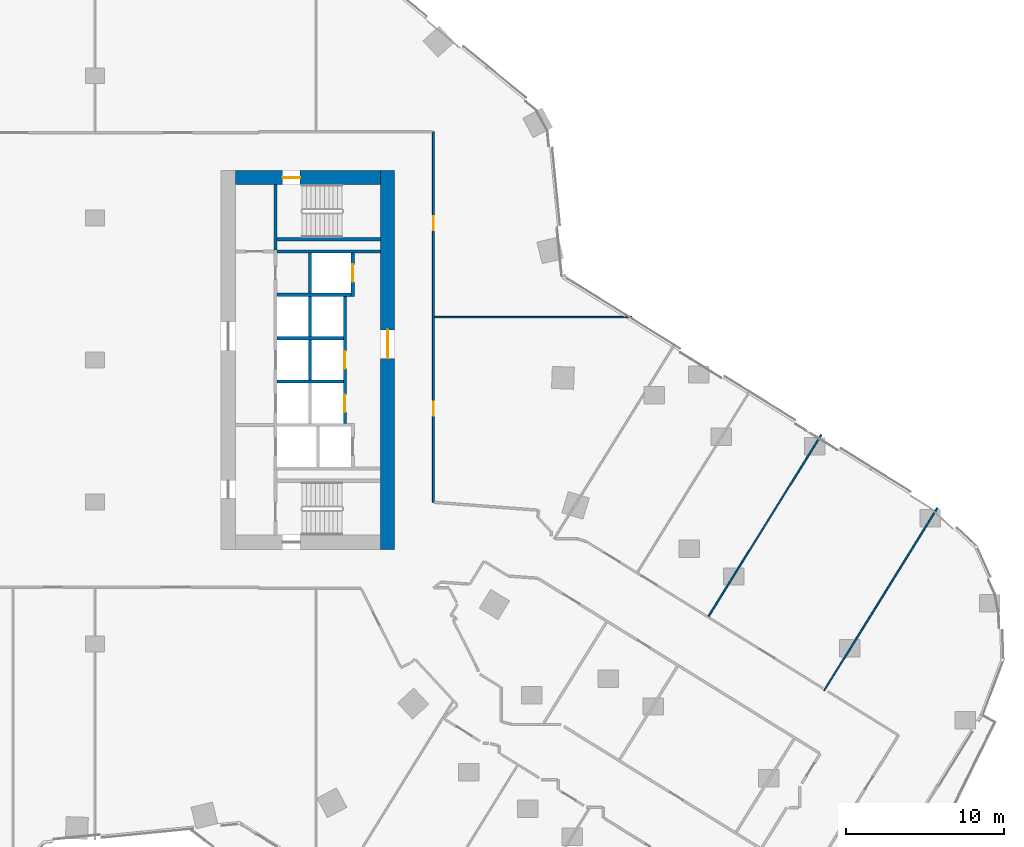
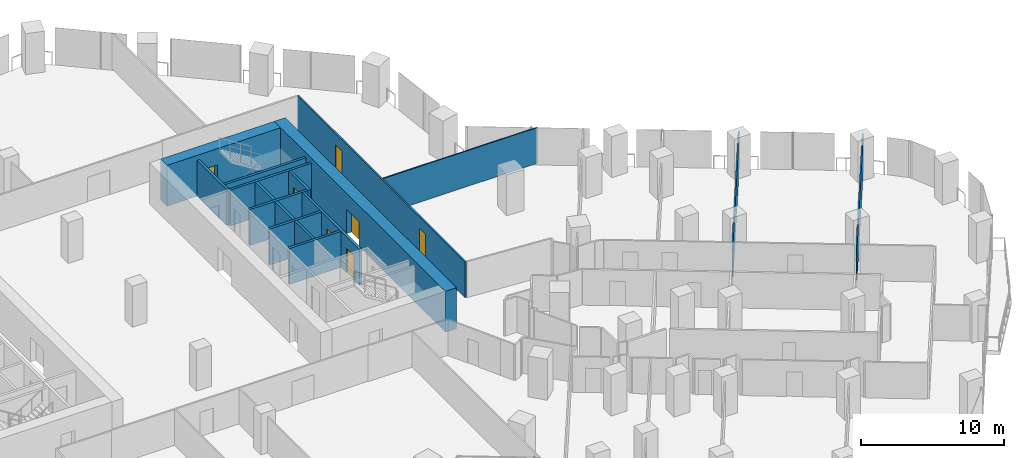
# One storey, part 28 of 34: 17 walls, 7 doors, 7 openings.
"""IFC4 building model written with IfcOpenShell, lengths in metres."""

from ifc_helpers import new_model, si_unit, direction, frame, frame_2d, origin, place, context, subcontext, project, spatial, rectangle, extrude, material, layer, layer_set, type_object, element, fill, save


model = new_model("IFC4")

# Units and contexts
model_context = context("Model", 3, precision=1e-05, world=origin(), true_north=direction((0.0, 1.0)))
body_context = subcontext(model_context, "Body", "Model", "MODEL_VIEW")
ifc_project = project(units=[si_unit("LENGTHUNIT", "METRE"), si_unit("AREAUNIT", "SQUARE_METRE"), si_unit("VOLUMEUNIT", "CUBIC_METRE"), si_unit("PLANEANGLEUNIT", "RADIAN"), si_unit("MASSUNIT", "GRAM", prefix="KILO")], contexts=[model_context])

# Site, building, storey
site_placement = place(None, origin())
site = spatial("IfcSite", under=ifc_project, at=site_placement, CompositionType="ELEMENT")
building_placement = place(site_placement, origin())
building = spatial("IfcBuilding", under=site, at=building_placement, Name="Orlundy Tower", CompositionType="ELEMENT")
storey_placement = place(building_placement, frame((0.0, 0.0, 37.300048828125)))
storey = spatial("IfcBuildingStorey", under=building, at=storey_placement, Name="L07", CompositionType="ELEMENT", Elevation=37.300048828125)

# Wall, opening, door
ifc_material_1 = material(Name="Concrete C80/95", Category="concrete")
ifc_layer_1 = layer(ifc_material_1, 0.89990234375)
ifc_layer_set_1 = layer_set([ifc_layer_1], Name="CORE WALL 900 C80/95")
wall_type_1 = type_object("IfcWallType", Name="CORE WALL 900 C80/95", PredefinedType="SHEAR", material=ifc_layer_set_1)
wall_1_placement = place(storey_placement, frame((8.89990234375, 11.550048828125, 0.0), z_axis=(0.0, 0.0, 1.0), x_axis=(1.0, 0.0, 0.0)))
wall_1 = element("IfcWall", 1, at=wall_1_placement, inside=storey, type_object=wall_type_1, Name="Core wall E-N L07", PredefinedType="SHEAR", context=body_context, shape_type="SweptSolid", body=[
    extrude(rectangle(XDim=9.2001953125, YDim=0.89990234375, at=frame_2d((4.60009765625, 0.0))), origin(), (0.0, 0.0, 1.0), 3.5),
])
opening_1_placement = place(wall_1_placement, frame((3.0, 0.0, 0.0)))
opening_1 = element("IfcOpeningElement", 2, at=opening_1_placement, cuts=wall_1, Name="Opening 08062", PredefinedType="OPENING", context=body_context, shape_type="SweptSolid", body=[
    extrude(rectangle(XDim=1.10009765625, YDim=2.10009765625, at=frame_2d((0.550048828125, 1.050048828125))), frame((0.0, 0.4599609375, 0.0), z_axis=(0.0, -1.0, 0.0), x_axis=(1.0, 0.0, 0.0)), (0.0, 0.0, 1.0), 0.919921875),
])
ifc_material_2 = material(Name="Steel door set", Category="steel")
door_type_1 = type_object("IfcDoorType", Name="Stair Door 1100x2100", OperationType="SINGLE_SWING_LEFT", PredefinedType="DOOR", material=ifc_material_2)
door_1_placement = place(opening_1_placement, origin())
door_1 = element("IfcDoor", 3, at=door_1_placement, inside=storey, type_object=door_type_1, Name="Stair door 08062", OperationType="SINGLE_SWING_LEFT", OverallHeight=2.10009765625, OverallWidth=1.10009765625, PredefinedType="DOOR", context=body_context, shape_type="SweptSolid", body=[
    extrude(rectangle(XDim=1.10009765625, YDim=2.10009765625, at=frame_2d((0.550048828125, 1.050048828125))), frame((0.0, 0.02490234375, 0.0), z_axis=(0.0, -1.0, 0.0), x_axis=(1.0, 0.0, 0.0)), (0.0, 0.0, 1.0), 0.050048828125),
])
fill(opening_1, door_1)

wall_2_placement = place(storey_placement, frame((18.550048828125, -12.0, 0.0), z_axis=(0.0, 0.0, 1.0), x_axis=(0.0, 1.0, 0.0)))
wall_2 = element("IfcWall", 4, at=wall_2_placement, inside=storey, type_object=wall_type_1, Name="Core wall E-E L07", PredefinedType="SHEAR", context=body_context, shape_type="SweptSolid", body=[
    extrude(rectangle(XDim=24.0, YDim=0.89990234375, at=frame_2d((12.0, 0.0))), origin(), (0.0, 0.0, 1.0), 3.5),
])
opening_2_placement = place(wall_2_placement, frame((12.10009765625, 0.0, 0.0)))
opening_2 = element("IfcOpeningElement", 5, at=opening_2_placement, cuts=wall_2, Name="Opening 08059", PredefinedType="OPENING", context=body_context, shape_type="SweptSolid", body=[
    extrude(rectangle(XDim=1.800048828125, YDim=2.10009765625, at=frame_2d((0.89990234375, 1.050048828125))), frame((0.0, 0.4599609375, 0.0), z_axis=(0.0, -1.0, 0.0), x_axis=(1.0, 0.0, 0.0)), (0.0, 0.0, 1.0), 0.919921875),
])
ifc_material_3 = material(Name="Timber door set", Category="wood")
door_type_2 = type_object("IfcDoorType", Name="Lobby Door 1800x2100", OperationType="DOUBLE_DOOR_DOUBLE_SWING", PredefinedType="DOOR", material=ifc_material_3)
door_2_placement = place(opening_2_placement, origin())
door_2 = element("IfcDoor", 6, at=door_2_placement, inside=storey, type_object=door_type_2, Name="Lift lobby door 08059", OperationType="SINGLE_SWING_RIGHT", OverallHeight=2.10009765625, OverallWidth=1.800048828125, PredefinedType="DOOR", context=body_context, shape_type="SweptSolid", body=[
    extrude(rectangle(XDim=1.800048828125, YDim=2.10009765625, at=frame_2d((0.89990234375, 1.050048828125))), frame((0.0, 0.02490234375, 0.0), z_axis=(0.0, -1.0, 0.0), x_axis=(1.0, 0.0, 0.0)), (0.0, 0.0, 1.0), 0.050048828125),
])
fill(opening_2, door_2)

# Walls
ifc_material_4 = material(Name="Gypsum board partition")
ifc_layer_2 = layer(ifc_material_4, 0.10009765625)
ifc_layer_set_2 = layer_set([ifc_layer_2], Name="Floor partition 100")
wall_type_2 = type_object("IfcWallType", Name="Floor partition 100", PredefinedType="PARTITIONING", material=ifc_layer_set_2)
wall_3_placement = place(storey_placement, frame((21.511962890625, 2.715087890625, 0.0), z_axis=(0.0, 0.0, 1.0), x_axis=(1.0, 0.0, 0.0)))
element("IfcWall", 7, at=wall_3_placement, inside=storey, type_object=wall_type_2, Name="wall-int-L07-058", PredefinedType="PARTITIONING", context=body_context, shape_type="SweptSolid", body=[
    extrude(rectangle(XDim=12.506103515625, YDim=0.10009765625, at=frame_2d((6.2529296875, 0.0))), origin(), (0.0, 0.0, 1.0), 3.06005859375),
])
wall_4_placement = place(storey_placement, frame((46.202880859375, -20.944091796875, 0.0), z_axis=(0.0, 0.0, 1.0), x_axis=(0.527452109832, 0.849584764361, 0.0)))
element("IfcWall", 8, at=wall_4_placement, inside=storey, type_object=wall_type_2, Name="wall-int-L07-090", PredefinedType="PARTITIONING", context=body_context, shape_type="SweptSolid", body=[
    extrude(rectangle(XDim=13.618408203125, YDim=0.10009765625, at=frame_2d((6.80908203125, 0.0))), origin(), (0.0, 0.0, 1.0), 3.06005859375),
])
wall_5_placement = place(storey_placement, frame((38.884033203125, -16.239013671875, 0.0), z_axis=(0.0, 0.0, 1.0), x_axis=(0.527383064754, 0.849627626087, 0.0)))
element("IfcWall", 9, at=wall_5_placement, inside=storey, type_object=wall_type_2, Name="wall-int-L07-093", PredefinedType="PARTITIONING", context=body_context, shape_type="SweptSolid", body=[
    extrude(rectangle(XDim=13.536376953125, YDim=0.10009765625, at=frame_2d((6.76806640625, 0.0))), origin(), (0.0, 0.0, 1.0), 3.06005859375),
])

# Wall, openings, doors
ifc_material_5 = material(Name="Gypsum board partition, double layer")
ifc_layer_3 = layer(ifc_material_5, 0.125)
ifc_layer_set_3 = layer_set([ifc_layer_3], Name="Floor partition 125")
wall_type_3 = type_object("IfcWallType", Name="Floor partition 125", PredefinedType="PARTITIONING", material=ifc_layer_set_3)
wall_6_placement = place(storey_placement, frame((21.449951171875, 14.450927734375, 0.0), z_axis=(0.0, 0.0, 1.0), x_axis=(0.0, -1.0, 0.0)))
wall_6 = element("IfcWall", 10, at=wall_6_placement, inside=storey, type_object=wall_type_3, Name="wall-int-L07-114", PredefinedType="PARTITIONING", context=body_context, shape_type="SweptSolid", body=[
    extrude(rectangle(XDim=23.468994140625, YDim=0.125, at=frame_2d((11.734375, 0.0))), origin(), (0.0, 0.0, 1.0), 3.06005859375),
])
opening_3_placement = place(wall_6_placement, frame((17.0859375, 0.0, 0.0)))
opening_3 = element("IfcOpeningElement", 11, at=opening_3_placement, cuts=wall_6, Name="Opening 08127", PredefinedType="OPENING", context=body_context, shape_type="SweptSolid", body=[
    extrude(rectangle(XDim=0.89990234375, YDim=2.10009765625, at=frame_2d((0.449951171875, 1.050048828125))), frame((0.0, 0.072509765625, 0.0), z_axis=(0.0, -1.0, 0.0), x_axis=(1.0, 0.0, 0.0)), (0.0, 0.0, 1.0), 0.14501953125),
])
opening_4_placement = place(wall_6_placement, frame((5.35009765625, 0.0, 0.0)))
opening_4 = element("IfcOpeningElement", 12, at=opening_4_placement, cuts=wall_6, Name="Opening 08128", PredefinedType="OPENING", context=body_context, shape_type="SweptSolid", body=[
    extrude(rectangle(XDim=0.89990234375, YDim=2.10009765625, at=frame_2d((0.449951171875, 1.050048828125))), frame((0.0, 0.072509765625, 0.0), z_axis=(0.0, -1.0, 0.0), x_axis=(1.0, 0.0, 0.0)), (0.0, 0.0, 1.0), 0.14501953125),
])
ifc_material_6 = material(Name="Timber door leaf", Category="wood")
door_type_3 = type_object("IfcDoorType", Name="Floor door single 900 FD30S", OperationType="NOTDEFINED", PredefinedType="DOOR", material=ifc_material_6)
door_3_placement = place(opening_3_placement, origin())
door_3 = element("IfcDoor", 13, at=door_3_placement, inside=storey, type_object=door_type_3, Name="Door 08127", OperationType="SINGLE_SWING_RIGHT", OverallHeight=2.10009765625, OverallWidth=0.89990234375, PredefinedType="DOOR", context=body_context, shape_type="SweptSolid", body=[
    extrude(rectangle(XDim=0.89990234375, YDim=2.10009765625, at=frame_2d((0.449951171875, 1.050048828125))), frame((0.0, 0.02490234375, 0.0), z_axis=(0.0, -1.0, 0.0), x_axis=(1.0, 0.0, 0.0)), (0.0, 0.0, 1.0), 0.050048828125),
])
fill(opening_3, door_3)
door_4_placement = place(opening_4_placement, origin())
door_4 = element("IfcDoor", 14, at=door_4_placement, inside=storey, type_object=door_type_3, Name="Door 08128", OperationType="SINGLE_SWING_LEFT", OverallHeight=2.10009765625, OverallWidth=0.89990234375, PredefinedType="DOOR", context=body_context, shape_type="SweptSolid", body=[
    extrude(rectangle(XDim=0.89990234375, YDim=2.10009765625, at=frame_2d((0.449951171875, 1.050048828125))), frame((0.0, 0.02490234375, 0.0), z_axis=(0.0, -1.0, 0.0), x_axis=(1.0, 0.0, 0.0)), (0.0, 0.0, 1.0), 0.050048828125),
])
fill(opening_4, door_4)

# Walls
ifc_material_7 = material(Name="Concrete C40/50", Category="concrete")
ifc_layer_4 = layer(ifc_material_7, 0.199951171875)
ifc_layer_set_4 = layer_set([ifc_layer_4], Name="Load-bearing Shaft Wall 200")
wall_type_4 = type_object("IfcWallType", Name="Load-bearing Shaft Wall 200", PredefinedType="SOLIDWALL", material=ifc_layer_set_4)
wall_7_placement = place(storey_placement, frame((11.43994140625, 11.10009765625, 0.0), z_axis=(0.0, 0.0, 1.0), x_axis=(0.0, -1.0, 0.0)))
element("IfcWall", 15, at=wall_7_placement, inside=storey, type_object=wall_type_4, Name="Shaft wall E08-stair-end-s", PredefinedType="SOLIDWALL", context=body_context, shape_type="SweptSolid", body=[
    extrude(rectangle(XDim=4.125, YDim=0.199951171875, at=frame_2d((2.0625, 0.0))), origin(), (0.0, 0.0, 1.0), 3.079833984375),
])
wall_8_placement = place(storey_placement, frame((11.5400390625, 7.64990234375, 0.0), z_axis=(0.0, 0.0, 1.0), x_axis=(1.0, 0.0, 0.0)))
element("IfcWall", 16, at=wall_8_placement, inside=storey, type_object=wall_type_4, Name="Shaft wall E08-stair-side-s", PredefinedType="SOLIDWALL", context=body_context, shape_type="SweptSolid", body=[
    extrude(rectangle(XDim=6.56005859375, YDim=0.199951171875, at=frame_2d((3.280029296875, 0.0))), origin(), (0.0, 0.0, 1.0), 3.079833984375),
])
ifc_material_8 = material(Name="Fire-rated blockwork shaft wall", Category="masonry")
ifc_layer_5 = layer(ifc_material_8, 0.199951171875)
ifc_layer_set_5 = layer_set([ifc_layer_5], Name="Shaft Wall 200")
wall_type_5 = type_object("IfcWallType", Name="Shaft Wall 200", PredefinedType="SOLIDWALL", material=ifc_layer_set_5)
wall_9_placement = place(storey_placement, frame((11.5400390625, 6.875, 0.0), z_axis=(0.0, 0.0, 1.0), x_axis=(1.0, 0.0, 0.0)))
element("IfcWall", 17, at=wall_9_placement, inside=storey, type_object=wall_type_5, Name="Shaft wall E08-zone-s", PredefinedType="SOLIDWALL", context=body_context, shape_type="SweptSolid", body=[
    extrude(rectangle(XDim=6.56005859375, YDim=0.199951171875, at=frame_2d((3.280029296875, 0.0))), origin(), (0.0, 0.0, 1.0), 3.079833984375),
])
wall_10_placement = place(storey_placement, frame((11.5400390625, 4.125, 0.0), z_axis=(0.0, 0.0, 1.0), x_axis=(1.0, 0.0, 0.0)))
element("IfcWall", 18, at=wall_10_placement, inside=storey, type_object=wall_type_5, Name="Shaft wall E08-cross-4.125", PredefinedType="SOLIDWALL", context=body_context, shape_type="SweptSolid", body=[
    extrude(rectangle(XDim=4.699951171875, YDim=0.199951171875, at=frame_2d((2.35009765625, 0.0))), origin(), (0.0, 0.0, 1.0), 3.079833984375),
])
for number, where, z_axis, x_axis, name in (
    (19, (11.5400390625, 1.375, 0.0), (0.0, 0.0, 1.0), (1.0, 0.0, 0.0), "Shaft wall E08-cross-1.375"),
    (20, (11.5400390625, -1.375, 0.0), (0.0, 0.0, 1.0), (1.0, 0.0, 0.0), "Shaft wall E08-cross+1.375"),
):
    element("IfcWall", number, at=place(storey_placement, frame(where, z_axis=z_axis, x_axis=x_axis)), inside=storey, type_object=wall_type_5, Name=name, PredefinedType="SOLIDWALL", context=body_context, shape_type="SweptSolid", body=[
        extrude(rectangle(XDim=4.199951171875, YDim=0.199951171875, at=frame_2d((2.10009765625, 0.0))), origin(), (0.0, 0.0, 1.0), 3.079833984375),
    ])
for number, where, z_axis, x_axis, name in (
    (21, (13.639892578125, 6.77490234375, 0.0), (0.0, 0.0, 1.0), (0.0, -1.0, 0.0), "Shaft wall E08-mid-a"),
    (22, (13.639892578125, 4.02490234375, 0.0), (0.0, 0.0, 1.0), (0.0, -1.0, 0.0), "Shaft wall E08-mid-a.1"),
    (23, (13.639892578125, 1.27490234375, 0.0), (0.0, 0.0, 1.0), (0.0, -1.0, 0.0), "Shaft wall E08-mid-a.2"),
):
    element("IfcWall", number, at=place(storey_placement, frame(where, z_axis=z_axis, x_axis=x_axis)), inside=storey, type_object=wall_type_5, Name=name, PredefinedType="SOLIDWALL", context=body_context, shape_type="SweptSolid", body=[
        extrude(rectangle(XDim=2.5498046875, YDim=0.199951171875, at=frame_2d((1.27490234375, 0.0))), origin(), (0.0, 0.0, 1.0), 3.079833984375),
    ])

# Wall, opening, door
wall_11_placement = place(storey_placement, frame((16.340087890625, 6.77490234375, 0.0), z_axis=(0.0, 0.0, 1.0), x_axis=(0.0, -1.0, 0.0)))
wall_11 = element("IfcWall", 24, at=wall_11_placement, inside=storey, type_object=wall_type_5, Name="Shaft wall E08-front-o-a", PredefinedType="SOLIDWALL", context=body_context, shape_type="SweptSolid", body=[
    extrude(rectangle(XDim=2.75, YDim=0.199951171875, at=frame_2d((1.375, 0.0))), origin(), (0.0, 0.0, 1.0), 3.079833984375),
])
opening_5_placement = place(wall_11_placement, frame((0.72509765625, 0.0, 0.0)))
opening_5 = element("IfcOpeningElement", 25, at=opening_5_placement, cuts=wall_11, Name="Opening 08050", PredefinedType="OPENING", context=body_context, shape_type="SweptSolid", body=[
    extrude(rectangle(XDim=1.10009765625, YDim=2.10009765625, at=frame_2d((0.550048828125, 1.050048828125))), frame((0.0, 0.110107421875, 0.0), z_axis=(0.0, -1.0, 0.0), x_axis=(1.0, 0.0, 0.0)), (0.0, 0.0, 1.0), 0.22021484375),
])
ifc_material_9 = material(Name="Steel door set", Category="steel")
door_type_4 = type_object("IfcDoorType", Name="Landing Door 1100x2100", OperationType="DOUBLE_DOOR_SLIDING", PredefinedType="DOOR", material=ifc_material_9)
door_5_placement = place(opening_5_placement, origin())
door_5 = element("IfcDoor", 26, at=door_5_placement, inside=storey, type_object=door_type_4, Name="Lift landing door LV-02 08050", OperationType="DOUBLE_DOOR_SLIDING", OverallHeight=2.10009765625, OverallWidth=1.10009765625, PredefinedType="DOOR", context=body_context, shape_type="SweptSolid", body=[
    extrude(rectangle(XDim=1.10009765625, YDim=2.10009765625, at=frame_2d((0.550048828125, 1.050048828125))), frame((0.0, 0.02490234375, 0.0), z_axis=(0.0, -1.0, 0.0), x_axis=(1.0, 0.0, 0.0)), (0.0, 0.0, 1.0), 0.050048828125),
])
fill(opening_5, door_5)

# Wall, openings, doors
wall_12_placement = place(storey_placement, frame((15.840087890625, 4.02490234375, 0.0), z_axis=(0.0, 0.0, 1.0), x_axis=(0.0, -1.0, 0.0)))
wall_12 = element("IfcWall", 27, at=wall_12_placement, inside=storey, type_object=wall_type_5, Name="Shaft wall E08-front-o-b", PredefinedType="SOLIDWALL", context=body_context, shape_type="SweptSolid", body=[
    extrude(rectangle(XDim=8.0498046875, YDim=0.199951171875, at=frame_2d((4.02490234375, 0.0))), origin(), (0.0, 0.0, 1.0), 3.079833984375),
])
opening_6_placement = place(wall_12_placement, frame((3.47509765625, 0.0, 0.0)))
opening_6 = element("IfcOpeningElement", 28, at=opening_6_placement, cuts=wall_12, Name="Opening 08052", PredefinedType="OPENING", context=body_context, shape_type="SweptSolid", body=[
    extrude(rectangle(XDim=1.10009765625, YDim=2.10009765625, at=frame_2d((0.550048828125, 1.050048828125))), frame((0.0, 0.110107421875, 0.0), z_axis=(0.0, -1.0, 0.0), x_axis=(1.0, 0.0, 0.0)), (0.0, 0.0, 1.0), 0.22021484375),
])
opening_7_placement = place(wall_12_placement, frame((6.22509765625, 0.0, 0.0)))
opening_7 = element("IfcOpeningElement", 29, at=opening_7_placement, cuts=wall_12, Name="Opening 08054", PredefinedType="OPENING", context=body_context, shape_type="SweptSolid", body=[
    extrude(rectangle(XDim=1.10009765625, YDim=2.10009765625, at=frame_2d((0.550048828125, 1.050048828125))), frame((0.0, 0.110107421875, 0.0), z_axis=(0.0, -1.0, 0.0), x_axis=(1.0, 0.0, 0.0)), (0.0, 0.0, 1.0), 0.22021484375),
])
door_6_placement = place(opening_6_placement, origin())
door_6 = element("IfcDoor", 30, at=door_6_placement, inside=storey, type_object=door_type_4, Name="Lift landing door LP-06 08052", OperationType="DOUBLE_DOOR_SLIDING", OverallHeight=2.10009765625, OverallWidth=1.10009765625, PredefinedType="DOOR", context=body_context, shape_type="SweptSolid", body=[
    extrude(rectangle(XDim=1.10009765625, YDim=2.10009765625, at=frame_2d((0.550048828125, 1.050048828125))), frame((0.0, 0.02490234375, 0.0), z_axis=(0.0, -1.0, 0.0), x_axis=(1.0, 0.0, 0.0)), (0.0, 0.0, 1.0), 0.050048828125),
])
fill(opening_6, door_6)
door_7_placement = place(opening_7_placement, origin())
door_7 = element("IfcDoor", 31, at=door_7_placement, inside=storey, type_object=door_type_4, Name="Lift landing door LP-08 08054", OperationType="DOUBLE_DOOR_SLIDING", OverallHeight=2.10009765625, OverallWidth=1.10009765625, PredefinedType="DOOR", context=body_context, shape_type="SweptSolid", body=[
    extrude(rectangle(XDim=1.10009765625, YDim=2.10009765625, at=frame_2d((0.550048828125, 1.050048828125))), frame((0.0, 0.02490234375, 0.0), z_axis=(0.0, -1.0, 0.0), x_axis=(1.0, 0.0, 0.0)), (0.0, 0.0, 1.0), 0.050048828125),
])
fill(opening_7, door_7)

save(model, "model.ifc")
